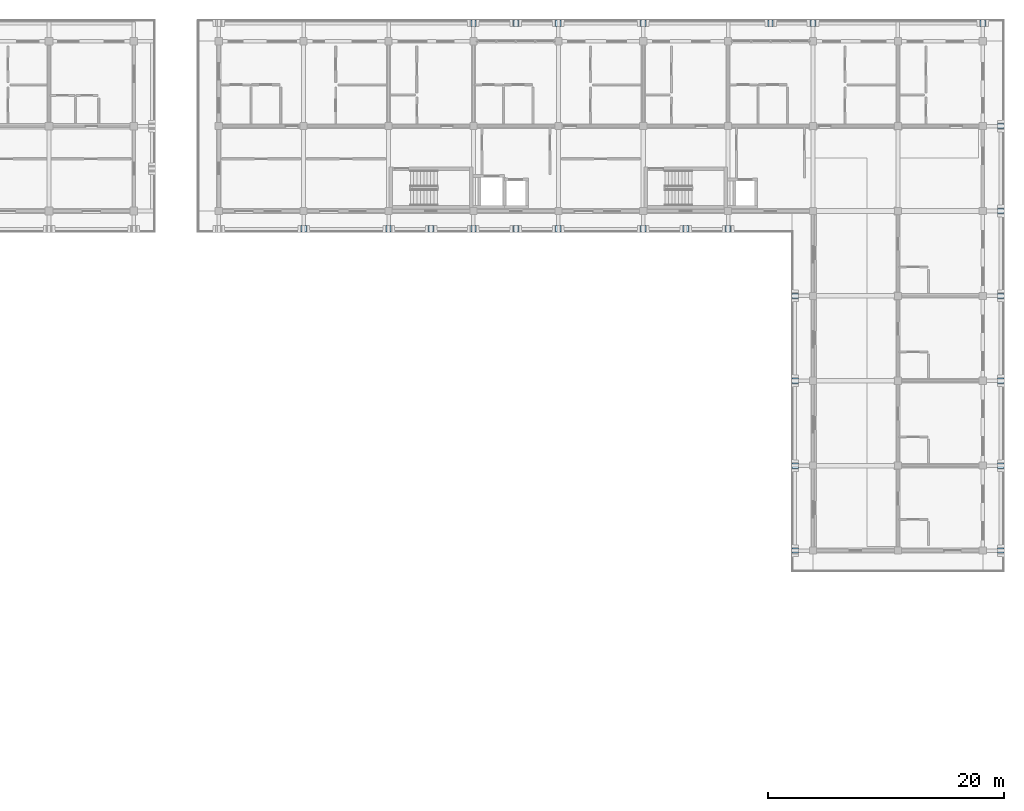
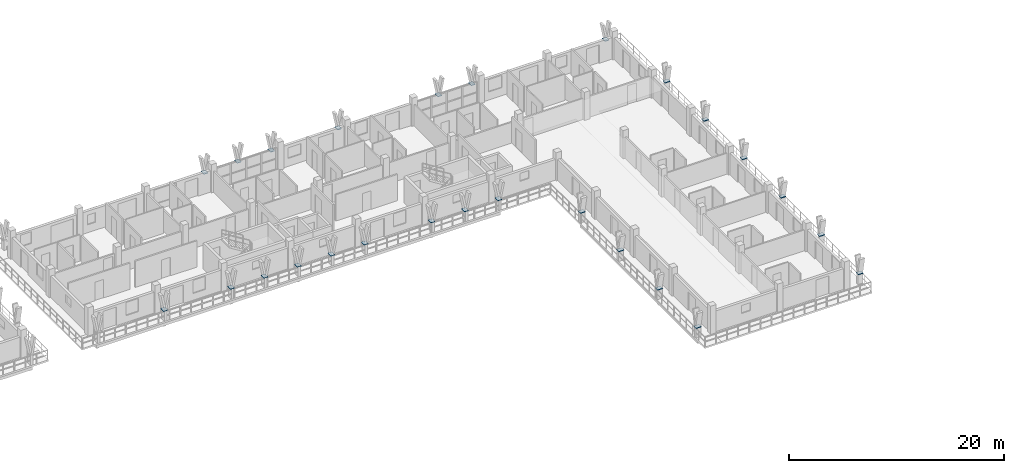
# One storey, part 37 of 76: 26 plates.
"""IFC4 building model written with IfcOpenShell, lengths in metres."""

from ifc_helpers import new_model, si_unit, direction, frame, origin, origin_2d, place, context, subcontext, project, spatial, rectangle, extrude, material, layer, layer_set, type_object, element, save


model = new_model("IFC4")

# Units and contexts
model_context = context("Model", 3, precision=1e-05, world=origin(), true_north=direction((0.0, 1.0)))
body_context = subcontext(model_context, "Body", "Model", "MODEL_VIEW")
ifc_project = project(units=[si_unit("LENGTHUNIT", "METRE"), si_unit("AREAUNIT", "SQUARE_METRE"), si_unit("VOLUMEUNIT", "CUBIC_METRE"), si_unit("PLANEANGLEUNIT", "RADIAN"), si_unit("MASSUNIT", "GRAM", prefix="KILO")], contexts=[model_context])

# Site, building, storey
site_placement = place(None, origin())
site = spatial("IfcSite", under=ifc_project, at=site_placement, CompositionType="ELEMENT")
building_placement = place(site_placement, origin())
building = spatial("IfcBuilding", under=site, at=building_placement, Name="Suanplinth Sawtooth Commons", CompositionType="ELEMENT")
storey_placement = place(building_placement, frame((0.0, 0.0, 12.199951171875)))
storey = spatial("IfcBuildingStorey", under=building, at=storey_placement, Name="L03", CompositionType="ELEMENT", Elevation=12.199951171875)

# Plates
ifc_material = material(Name="Pigmented precast concrete C40/50", Category="concrete")
ifc_layer = layer(ifc_material, 0.06005859375, Name="Precast Y-blade bifurcation node plate 60mm")
ifc_layer_set = layer_set([ifc_layer], Name="Pigmented precast concrete C40/50")
plate_type = type_object("IfcPlateType", Name="PL-04", PredefinedType="USERDEFINED", material=ifc_layer_set)
for number, where, z_axis, x_axis, name in (
    (1, (144.0, 123.919921875, 1.1201171875), (0.0, 0.0, 1.0), (1.0, 0.0, 0.0), "Y-Blade Node Plate L03-B-N-02"),
    (2, (147.60009765625, 123.919921875, 1.1201171875), (0.0, 0.0, 1.0), (1.0, 0.0, 0.0), "Y-Blade Node Plate L03-B-N-03"),
    (3, (151.199951171875, 123.919921875, 1.1201171875), (0.0, 0.0, 1.0), (1.0, 0.0, 0.0), "Y-Blade Node Plate L03-B-N-04"),
    (4, (158.39990234375, 123.919921875, 1.1201171875), (0.0, 0.0, 1.0), (1.0, 0.0, 0.0), "Y-Blade Node Plate L03-B-N-05"),
    (5, (169.199951171875, 123.919921875, 1.1201171875), (0.0, 0.0, 1.0), (1.0, 0.0, 0.0), "Y-Blade Node Plate L03-B-N-06"),
    (6, (172.800048828125, 123.919921875, 1.1201171875), (0.0, 0.0, 1.0), (1.0, 0.0, 0.0), "Y-Blade Node Plate L03-B-N-07"),
    (7, (187.199951171875, 123.919921875, 1.1201171875), (0.0, 0.0, 1.0), (1.0, 0.0, 0.0), "Y-Blade Node Plate L03-B-N-08"),
    (8, (188.719970703125, 79.199951171875, 1.1201171875), (0.0, 0.0, 1.0), (0.0, 1.0, 0.0), "Y-Blade Node Plate L03-B-E-09"),
    (9, (188.719970703125, 86.39990234375, 1.1201171875), (0.0, 0.0, 1.0), (0.0, 1.0, 0.0), "Y-Blade Node Plate L03-B-E-10"),
    (10, (188.719970703125, 93.60009765625, 1.1201171875), (0.0, 0.0, 1.0), (0.0, 1.0, 0.0), "Y-Blade Node Plate L03-B-E-11"),
    (11, (188.719970703125, 100.800048828125, 1.1201171875), (0.0, 0.0, 1.0), (0.0, 1.0, 0.0), "Y-Blade Node Plate L03-B-E-12"),
    (12, (188.719970703125, 108.0, 1.1201171875), (0.0, 0.0, 1.0), (0.0, 1.0, 0.0), "Y-Blade Node Plate L03-B-E-13"),
    (13, (188.719970703125, 115.199951171875, 1.1201171875), (0.0, 0.0, 1.0), (0.0, 1.0, 0.0), "Y-Blade Node Plate L03-B-E-14"),
    (14, (129.60009765625, 106.47998046875, 1.1201171875), (0.0, 0.0, 1.0), (1.0, 0.0, 0.0), "Y-Blade Node Plate L03-B-SC-16"),
    (15, (136.800048828125, 106.47998046875, 1.1201171875), (0.0, 0.0, 1.0), (1.0, 0.0, 0.0), "Y-Blade Node Plate L03-B-SC-17"),
    (16, (140.39990234375, 106.47998046875, 1.1201171875), (0.0, 0.0, 1.0), (1.0, 0.0, 0.0), "Y-Blade Node Plate L03-B-SC-18"),
    (17, (144.0, 106.47998046875, 1.1201171875), (0.0, 0.0, 1.0), (1.0, 0.0, 0.0), "Y-Blade Node Plate L03-B-SC-19"),
    (18, (147.60009765625, 106.47998046875, 1.1201171875), (0.0, 0.0, 1.0), (1.0, 0.0, 0.0), "Y-Blade Node Plate L03-B-SC-20"),
    (19, (151.199951171875, 106.47998046875, 1.1201171875), (0.0, 0.0, 1.0), (1.0, 0.0, 0.0), "Y-Blade Node Plate L03-B-SC-21"),
    (20, (158.39990234375, 106.47998046875, 1.1201171875), (0.0, 0.0, 1.0), (1.0, 0.0, 0.0), "Y-Blade Node Plate L03-B-SC-22"),
    (21, (162.0, 106.47998046875, 1.1201171875), (0.0, 0.0, 1.0), (1.0, 0.0, 0.0), "Y-Blade Node Plate L03-B-SC-23"),
    (22, (165.60009765625, 106.47998046875, 1.1201171875), (0.0, 0.0, 1.0), (1.0, 0.0, 0.0), "Y-Blade Node Plate L03-B-SC-24"),
    (23, (171.280029296875, 79.199951171875, 1.1201171875), (0.0, 0.0, 1.0), (0.0, 1.0, 0.0), "Y-Blade Node Plate L03-B-WC-25"),
    (24, (171.280029296875, 86.39990234375, 1.1201171875), (0.0, 0.0, 1.0), (0.0, 1.0, 0.0), "Y-Blade Node Plate L03-B-WC-26"),
    (25, (171.280029296875, 93.60009765625, 1.1201171875), (0.0, 0.0, 1.0), (0.0, 1.0, 0.0), "Y-Blade Node Plate L03-B-WC-27"),
    (26, (171.280029296875, 100.800048828125, 1.1201171875), (0.0, 0.0, 1.0), (0.0, 1.0, 0.0), "Y-Blade Node Plate L03-B-WC-28"),
):
    element("IfcPlate", number, at=place(storey_placement, frame(where, z_axis=z_axis, x_axis=x_axis)), inside=storey, type_object=plate_type, Name=name, ObjectType="GUSSET PLATE", PredefinedType="USERDEFINED", context=body_context, shape_type="SweptSolid", body=[
        extrude(rectangle(XDim=0.43994140625, YDim=0.550048828125, at=origin_2d()), origin(), (0.0, 0.0, 1.0), 0.06005859375),
    ])

save(model, "model.ifc")
